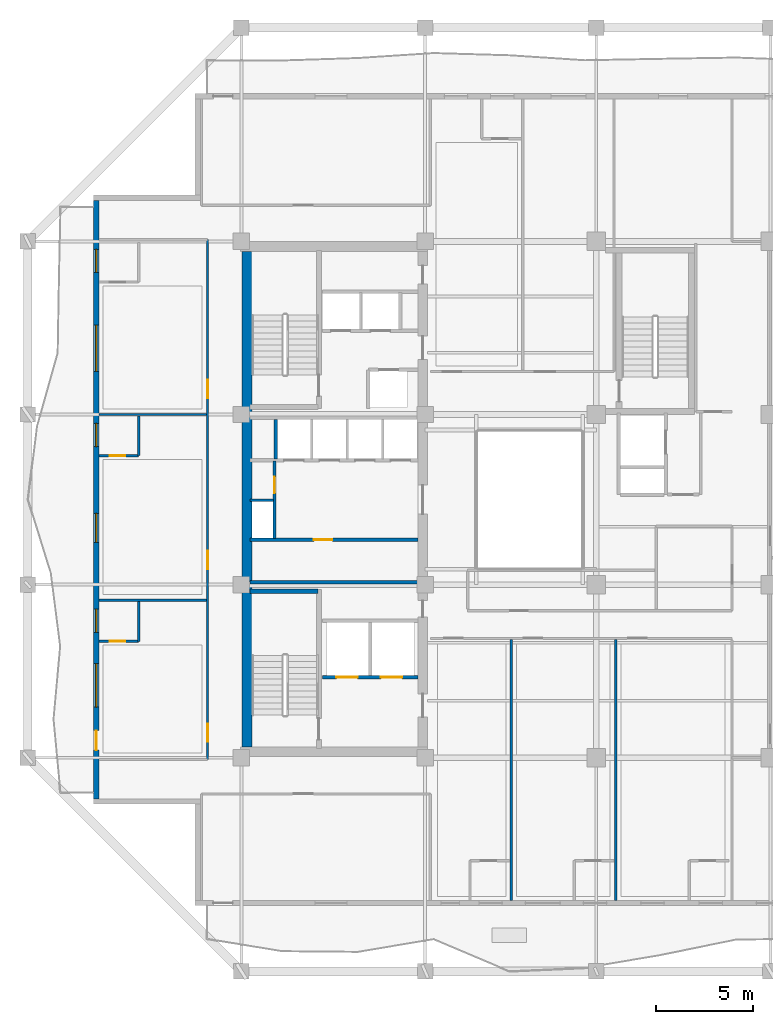
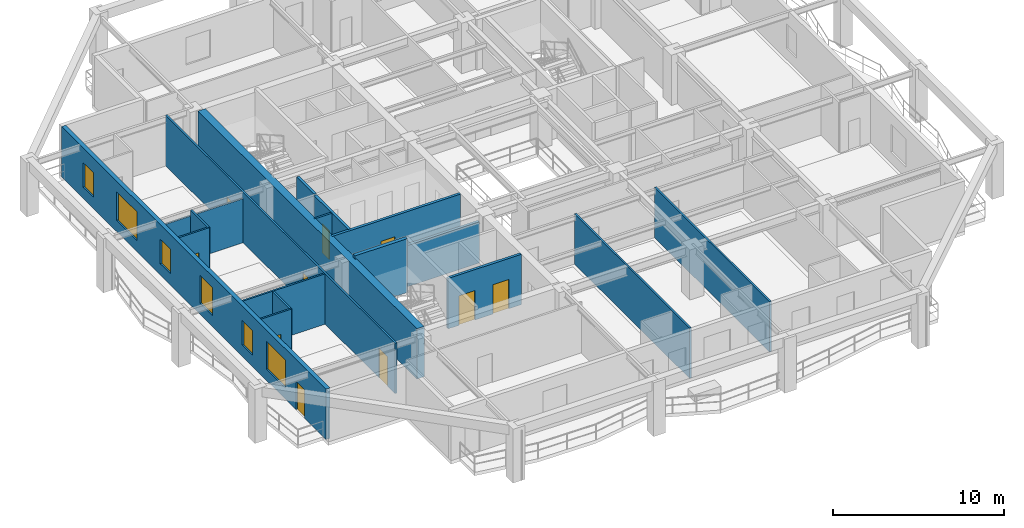
# One storey, part 3 of 12: 18 walls, 10 doors, 6 windows, 16 openings.
"""IFC4 building model written with IfcOpenShell, lengths in metres."""

from ifc_helpers import new_model, si_unit, direction, frame, frame_2d, origin, place, context, subcontext, project, spatial, rectangle, extrude, material, layer, layer_set, type_object, element, fill, save


model = new_model("IFC4")

# Units and contexts
model_context = context("Model", 3, precision=1e-05, world=origin(), true_north=direction((0.0, 1.0)))
body_context = subcontext(model_context, "Body", "Model", "MODEL_VIEW")
ifc_project = project(units=[si_unit("LENGTHUNIT", "METRE"), si_unit("AREAUNIT", "SQUARE_METRE"), si_unit("VOLUMEUNIT", "CUBIC_METRE"), si_unit("PLANEANGLEUNIT", "RADIAN"), si_unit("MASSUNIT", "GRAM", prefix="KILO")], contexts=[model_context])

# Site, building, storey
site_placement = place(None, origin())
site = spatial("IfcSite", under=ifc_project, at=site_placement, CompositionType="ELEMENT")
building_placement = place(site_placement, origin())
building = spatial("IfcBuilding", under=site, at=building_placement, Name="Kundavana Baori Tower", CompositionType="ELEMENT")
storey_placement = place(building_placement, frame((0.0, 0.0, 173.300048828125)))
storey = spatial("IfcBuildingStorey", under=building, at=storey_placement, Name="L42", CompositionType="ELEMENT", Elevation=173.300048828125)

# Walls
ifc_material_1 = material(Name="Concrete C50/60", Category="concrete")
ifc_layer_1 = layer(ifc_material_1, 0.39990234375, Name="WL-CORE-400")
ifc_layer_set_1 = layer_set([ifc_layer_1], Name="Concrete C50/60")
wall_type_1 = type_object("IfcWallType", Name="WL-CORE-400", PredefinedType="SHEAR", material=ifc_layer_set_1)
wall_1_placement = place(storey_placement, frame((15.89990234375, 23.860107421875, 0.0), z_axis=(0.0, 0.0, 1.0), x_axis=(1.0, 0.0, 0.0)))
element("IfcWall", 1, at=wall_1_placement, inside=storey, type_object=wall_type_1, Name="WL-L42-ST1-N", PredefinedType="SHEAR", context=body_context, shape_type="SweptSolid", body=[
    extrude(rectangle(XDim=3.52001953125, YDim=0.239990234375, at=frame_2d((1.760009765625, 0.0))), origin(), (0.0, 0.0, 1.0), 3.849853515625),
])
ifc_material_2 = material(Name="Concrete C50/60", Category="concrete")
ifc_layer_2 = layer(ifc_material_2, 0.5, Name="WL-CORE-500")
ifc_layer_set_2 = layer_set([ifc_layer_2], Name="Concrete C50/60")
wall_type_2 = type_object("IfcWallType", Name="WL-CORE-500", PredefinedType="SHEAR", material=ifc_layer_set_2)
wall_2_placement = place(storey_placement, frame((15.739990234375, 15.81005859375, 0.0), z_axis=(0.0, 0.0, 1.0), x_axis=(0.0, 1.0, 0.0)))
element("IfcWall", 2, at=wall_2_placement, inside=storey, type_object=wall_type_2, Name="L42 Offset Core West Shear Wall", PredefinedType="SHEAR", context=body_context, shape_type="SweptSolid", body=[
    extrude(rectangle(XDim=25.6298828125, YDim=0.5, at=frame_2d((12.81494140625, 0.0))), origin(), (0.0, 0.0, 1.0), 3.599853515625),
])

# Wall, openings, door, windows
ifc_material_3 = material(Name="Red-Buff Dholpur Sandstone Cladding on Concrete C40/50", Category="masonry")
ifc_layer_3 = layer(ifc_material_3, 0.280029296875, Name="WL-EXT-SAND-280")
ifc_layer_set_3 = layer_set([ifc_layer_3], Name="Red-Buff Dholpur Sandstone Cladding on Concrete C40/50")
wall_type_3 = type_object("IfcWallType", Name="WL-EXT-SAND-280", PredefinedType="STANDARD", material=ifc_layer_set_3)
wall_3_placement = place(storey_placement, frame((7.93994140625, 44.070068359375, 0.0), z_axis=(0.0, 0.0, 1.0), x_axis=(0.0, -1.0, 0.0)))
wall_3 = element("IfcWall", 3, at=wall_3_placement, inside=storey, type_object=wall_type_3, Name="L42 Exterior Insulated Facade Wall 10", PredefinedType="STANDARD", context=body_context, shape_type="SweptSolid", body=[
    extrude(rectangle(XDim=30.940185546875, YDim=0.280029296875, at=frame_2d((15.47021484375, 0.0))), origin(), (0.0, 0.0, 1.0), 3.599853515625),
])
opening_1_placement = place(wall_3_placement, frame((27.419921875, 0.0, 0.0)))
opening_1 = element("IfcOpeningElement", 4, at=opening_1_placement, cuts=wall_3, Name="Opening BD-1", PredefinedType="OPENING", context=body_context, shape_type="SweptSolid", body=[
    extrude(rectangle(XDim=1.0, YDim=2.050048828125, at=frame_2d((0.5, 1.02490234375))), frame((0.0, 0.14990234375, 0.0), z_axis=(0.0, -1.0, 0.0), x_axis=(1.0, 0.0, 0.0)), (0.0, 0.0, 1.0), 0.300048828125),
])
opening_2_placement = place(wall_3_placement, frame((23.955078125, 0.0, 0.800048828125)))
opening_2 = element("IfcOpeningElement", 5, at=opening_2_placement, cuts=wall_3, Name="Opening W-10", PredefinedType="OPENING", context=body_context, shape_type="SweptSolid", body=[
    extrude(rectangle(XDim=2.25, YDim=2.0, at=frame_2d((1.125, 1.0))), frame((0.0, 0.14990234375, 0.0), z_axis=(0.0, -1.0, 0.0), x_axis=(1.0, 0.0, 0.0)), (0.0, 0.0, 1.0), 0.300048828125),
])
opening_3_placement = place(wall_3_placement, frame((21.135009765625, 0.0, 0.800048828125)))
opening_3 = element("IfcOpeningElement", 6, at=opening_3_placement, cuts=wall_3, Name="Opening W-03", PredefinedType="OPENING", context=body_context, shape_type="SweptSolid", body=[
    extrude(rectangle(XDim=1.199951171875, YDim=1.75, at=frame_2d((0.60009765625, 0.875))), frame((0.0, 0.14990234375, 0.0), z_axis=(0.0, -1.0, 0.0), x_axis=(1.0, 0.0, 0.0)), (0.0, 0.0, 1.0), 0.300048828125),
])
opening_4_placement = place(wall_3_placement, frame((16.18505859375, 0.0, 0.800048828125)))
opening_4 = element("IfcOpeningElement", 7, at=opening_4_placement, cuts=wall_3, Name="Opening W-02", PredefinedType="OPENING", context=body_context, shape_type="SweptSolid", body=[
    extrude(rectangle(XDim=1.5, YDim=2.0, at=frame_2d((0.75, 1.0))), frame((0.0, 0.14990234375, 0.0), z_axis=(0.0, -1.0, 0.0), x_axis=(1.0, 0.0, 0.0)), (0.0, 0.0, 1.0), 0.300048828125),
])
opening_5_placement = place(wall_3_placement, frame((11.534912109375, 0.0, 0.800048828125)))
opening_5 = element("IfcOpeningElement", 8, at=opening_5_placement, cuts=wall_3, Name="Opening W-03", PredefinedType="OPENING", context=body_context, shape_type="SweptSolid", body=[
    extrude(rectangle(XDim=1.199951171875, YDim=1.75, at=frame_2d((0.60009765625, 0.875))), frame((0.0, 0.14990234375, 0.0), z_axis=(0.0, -1.0, 0.0), x_axis=(1.0, 0.0, 0.0)), (0.0, 0.0, 1.0), 0.300048828125),
])
opening_6_placement = place(wall_3_placement, frame((6.445068359375, 0.0, 0.800048828125)))
opening_6 = element("IfcOpeningElement", 9, at=opening_6_placement, cuts=wall_3, Name="Opening W-04", PredefinedType="OPENING", context=body_context, shape_type="SweptSolid", body=[
    extrude(rectangle(XDim=2.39990234375, YDim=2.050048828125, at=frame_2d((1.199951171875, 1.02490234375))), frame((0.0, 0.14990234375, 0.0), z_axis=(0.0, -1.0, 0.0), x_axis=(1.0, 0.0, 0.0)), (0.0, 0.0, 1.0), 0.300048828125),
])
opening_7_placement = place(wall_3_placement, frame((2.52490234375, 0.0, 0.800048828125)))
opening_7 = element("IfcOpeningElement", 10, at=opening_7_placement, cuts=wall_3, Name="Opening W-03", PredefinedType="OPENING", context=body_context, shape_type="SweptSolid", body=[
    extrude(rectangle(XDim=1.199951171875, YDim=1.75, at=frame_2d((0.60009765625, 0.875))), frame((0.0, 0.14990234375, 0.0), z_axis=(0.0, -1.0, 0.0), x_axis=(1.0, 0.0, 0.0)), (0.0, 0.0, 1.0), 0.300048828125),
])
ifc_material_4 = material(Name="Architectural Patinated Bronze Metalwork")
door_type_1 = type_object("IfcDoorType", Name="DR-EXT-LOG-1000", OperationType="NOTDEFINED", PredefinedType="DOOR", material=ifc_material_4)
door_1_placement = place(opening_1_placement, frame((1.0, 0.0, 0.0), z_axis=(0.0, 0.0, 1.0), x_axis=(-1.0, 0.0, 0.0)))
door_1 = element("IfcDoor", 11, at=door_1_placement, inside=storey, type_object=door_type_1, Name="L42 Loggia Balcony Access Door W", OperationType="SINGLE_SWING_RIGHT", OverallHeight=2.050048828125, OverallWidth=1.0, PredefinedType="DOOR", context=body_context, shape_type="SweptSolid", body=[
    extrude(rectangle(XDim=1.0, YDim=2.050048828125, at=frame_2d((0.5, 1.02490234375))), frame((0.0, 0.02490234375, 0.0), z_axis=(0.0, -1.0, 0.0), x_axis=(1.0, 0.0, 0.0)), (0.0, 0.0, 1.0), 0.050048828125),
])
fill(opening_1, door_1)
ifc_material_5 = material(Name="Double-Glazed Solar-Control Low-E Insulated Glass", Category="glass")
window_type_1 = type_object("IfcWindowType", Name="WIN-LOG-1200x1750", PartitioningType="SINGLE_PANEL", PredefinedType="WINDOW", material=ifc_material_5)
window_1_placement = place(opening_3_placement, origin())
window_1 = element("IfcWindow", 12, at=window_1_placement, inside=storey, type_object=window_type_1, Name="L42 Recessed Loggia Window W-2", OverallHeight=1.75, OverallWidth=1.199951171875, PartitioningType="SINGLE_PANEL", PredefinedType="WINDOW", context=body_context, shape_type="SweptSolid", body=[
    extrude(rectangle(XDim=1.199951171875, YDim=1.75, at=frame_2d((0.60009765625, 0.875))), frame((0.0, 0.030029296875, 0.0), z_axis=(0.0, -1.0, 0.0), x_axis=(1.0, 0.0, 0.0)), (0.0, 0.0, 1.0), 0.06005859375),
])
fill(opening_3, window_1)
window_2_placement = place(opening_5_placement, origin())
window_2 = element("IfcWindow", 13, at=window_2_placement, inside=storey, type_object=window_type_1, Name="L42 Recessed Loggia Window W-4", OverallHeight=1.75, OverallWidth=1.199951171875, PartitioningType="SINGLE_PANEL", PredefinedType="WINDOW", context=body_context, shape_type="SweptSolid", body=[
    extrude(rectangle(XDim=1.199951171875, YDim=1.75, at=frame_2d((0.60009765625, 0.875))), frame((0.0, 0.030029296875, 0.0), z_axis=(0.0, -1.0, 0.0), x_axis=(1.0, 0.0, 0.0)), (0.0, 0.0, 1.0), 0.06005859375),
])
fill(opening_5, window_2)
window_3_placement = place(opening_7_placement, origin())
window_3 = element("IfcWindow", 14, at=window_3_placement, inside=storey, type_object=window_type_1, Name="L42 Recessed Loggia Window W-6", OverallHeight=1.75, OverallWidth=1.199951171875, PartitioningType="SINGLE_PANEL", PredefinedType="WINDOW", context=body_context, shape_type="SweptSolid", body=[
    extrude(rectangle(XDim=1.199951171875, YDim=1.75, at=frame_2d((0.60009765625, 0.875))), frame((0.0, 0.030029296875, 0.0), z_axis=(0.0, -1.0, 0.0), x_axis=(1.0, 0.0, 0.0)), (0.0, 0.0, 1.0), 0.06005859375),
])
fill(opening_7, window_3)
ifc_material_6 = material(Name="Double-Glazed Solar-Control Low-E Insulated Glass", Category="glass")
window_type_2 = type_object("IfcWindowType", Name="WIN-LOG-1500x2000", PartitioningType="SINGLE_PANEL", PredefinedType="WINDOW", material=ifc_material_6)
window_4_placement = place(opening_4_placement, origin())
window_4 = element("IfcWindow", 15, at=window_4_placement, inside=storey, type_object=window_type_2, Name="L42 Recessed Loggia Window W-3", OverallHeight=2.0, OverallWidth=1.5, PartitioningType="SINGLE_PANEL", PredefinedType="WINDOW", context=body_context, shape_type="SweptSolid", body=[
    extrude(rectangle(XDim=1.5, YDim=2.0, at=frame_2d((0.75, 1.0))), frame((0.0, 0.030029296875, 0.0), z_axis=(0.0, -1.0, 0.0), x_axis=(1.0, 0.0, 0.0)), (0.0, 0.0, 1.0), 0.06005859375),
])
fill(opening_4, window_4)
ifc_material_7 = material(Name="Double-Glazed Solar-Control Low-E Insulated Glass", Category="glass")
window_type_3 = type_object("IfcWindowType", Name="WIN-LOG-2250x2000", PartitioningType="SINGLE_PANEL", PredefinedType="WINDOW", material=ifc_material_7)
window_5_placement = place(opening_2_placement, origin())
window_5 = element("IfcWindow", 16, at=window_5_placement, inside=storey, type_object=window_type_3, Name="L42 Recessed Loggia Window W-1", OverallHeight=2.0, OverallWidth=2.25, PartitioningType="SINGLE_PANEL", PredefinedType="WINDOW", context=body_context, shape_type="SweptSolid", body=[
    extrude(rectangle(XDim=2.25, YDim=2.0, at=frame_2d((1.125, 1.0))), frame((0.0, 0.030029296875, 0.0), z_axis=(0.0, -1.0, 0.0), x_axis=(1.0, 0.0, 0.0)), (0.0, 0.0, 1.0), 0.06005859375),
])
fill(opening_2, window_5)
ifc_material_8 = material(Name="Double-Glazed Solar-Control Low-E Insulated Glass", Category="glass")
window_type_4 = type_object("IfcWindowType", Name="WIN-LOG-2400x2050", PartitioningType="SINGLE_PANEL", PredefinedType="WINDOW", material=ifc_material_8)
window_6_placement = place(opening_6_placement, origin())
window_6 = element("IfcWindow", 17, at=window_6_placement, inside=storey, type_object=window_type_4, Name="L42 Recessed Loggia Window W-5", OverallHeight=2.050048828125, OverallWidth=2.39990234375, PartitioningType="SINGLE_PANEL", PredefinedType="WINDOW", context=body_context, shape_type="SweptSolid", body=[
    extrude(rectangle(XDim=2.39990234375, YDim=2.050048828125, at=frame_2d((1.199951171875, 1.02490234375))), frame((0.0, 0.030029296875, 0.0), z_axis=(0.0, -1.0, 0.0), x_axis=(1.0, 0.0, 0.0)), (0.0, 0.0, 1.0), 0.06005859375),
])
fill(opening_6, window_6)

# Wall
ifc_material_9 = material(Name="Acoustic Gypsum Plasterboard on Galvanised Steel Studs", Category="steel")
ifc_layer_4 = layer(ifc_material_9, 0.1201171875, Name="WL-PART-120")
ifc_layer_set_4 = layer_set([ifc_layer_4], Name="Acoustic Gypsum Plasterboard on Galvanised Steel Studs")
wall_type_4 = type_object("IfcWallType", Name="WL-PART-120", PredefinedType="PARTITIONING", material=ifc_layer_set_4)
wall_4_placement = place(storey_placement, frame((15.89990234375, 28.56005859375, 0.0), z_axis=(0.0, 0.0, 1.0), x_axis=(1.0, 0.0, 0.0)))
element("IfcWall", 18, at=wall_4_placement, inside=storey, type_object=wall_type_4, Name="WL-L42-RSRW-N", PredefinedType="PARTITIONING", context=body_context, shape_type="SweptSolid", body=[
    extrude(rectangle(XDim=1.2001953125, YDim=0.1201171875, at=frame_2d((0.60009765625, 0.0))), origin(), (0.0, 0.0, 1.0), 3.599853515625),
])

# Wall, openings, doors
wall_5_placement = place(storey_placement, frame((13.699951171875, 15.159912109375, 0.0), z_axis=(0.0, 0.0, 1.0), x_axis=(0.0, 1.0, 0.0)))
wall_5 = element("IfcWall", 19, at=wall_5_placement, inside=storey, type_object=wall_type_4, Name="WL-L42-HW", PredefinedType="PARTITIONING", context=body_context, shape_type="SweptSolid", body=[
    extrude(rectangle(XDim=26.880126953125, YDim=0.1201171875, at=frame_2d((13.43994140625, 0.0))), origin(), (0.0, 0.0, 1.0), 3.599853515625),
])
opening_8_placement = place(wall_5_placement, frame((0.909912109375, 0.0, 0.0)))
opening_8 = element("IfcOpeningElement", 20, at=opening_8_placement, cuts=wall_5, Name="Opening FD-095", PredefinedType="OPENING", context=body_context, shape_type="SweptSolid", body=[
    extrude(rectangle(XDim=0.949951171875, YDim=2.10009765625, at=frame_2d((0.47509765625, 1.050048828125))), frame((0.0, 0.070068359375, 0.0), z_axis=(0.0, -1.0, 0.0), x_axis=(1.0, 0.0, 0.0)), (0.0, 0.0, 1.0), 0.14013671875),
])
opening_9_placement = place(wall_5_placement, frame((9.840087890625, 0.0, 0.0)))
opening_9 = element("IfcOpeningElement", 21, at=opening_9_placement, cuts=wall_5, Name="Opening FD-095", PredefinedType="OPENING", context=body_context, shape_type="SweptSolid", body=[
    extrude(rectangle(XDim=0.949951171875, YDim=2.10009765625, at=frame_2d((0.47509765625, 1.050048828125))), frame((0.0, 0.070068359375, 0.0), z_axis=(0.0, -1.0, 0.0), x_axis=(1.0, 0.0, 0.0)), (0.0, 0.0, 1.0), 0.14013671875),
])
opening_10_placement = place(wall_5_placement, frame((18.68994140625, 0.0, 0.0)))
opening_10 = element("IfcOpeningElement", 22, at=opening_10_placement, cuts=wall_5, Name="Opening FD-095", PredefinedType="OPENING", context=body_context, shape_type="SweptSolid", body=[
    extrude(rectangle(XDim=0.949951171875, YDim=2.10009765625, at=frame_2d((0.47509765625, 1.050048828125))), frame((0.0, 0.070068359375, 0.0), z_axis=(0.0, -1.0, 0.0), x_axis=(1.0, 0.0, 0.0)), (0.0, 0.0, 1.0), 0.14013671875),
])
ifc_material_10 = material(Name="Engineered Teak Fire-Rated Timber Door Leaf", Category="wood")
door_type_2 = type_object("IfcDoorType", Name="DR-FD60-950", OperationType="NOTDEFINED", PredefinedType="DOOR", material=ifc_material_10)
door_2_placement = place(opening_8_placement, origin())
door_2 = element("IfcDoor", 23, at=door_2_placement, inside=storey, type_object=door_type_2, Name="DR-L42-HK-W1-ENT", OperationType="SINGLE_SWING_LEFT", OverallHeight=2.10009765625, OverallWidth=0.949951171875, PredefinedType="DOOR", context=body_context, shape_type="SweptSolid", body=[
    extrude(rectangle(XDim=0.949951171875, YDim=2.10009765625, at=frame_2d((0.47509765625, 1.050048828125))), frame((0.0, 0.02490234375, 0.0), z_axis=(0.0, -1.0, 0.0), x_axis=(1.0, 0.0, 0.0)), (0.0, 0.0, 1.0), 0.050048828125),
])
fill(opening_8, door_2)
door_3_placement = place(opening_9_placement, origin())
door_3 = element("IfcDoor", 24, at=door_3_placement, inside=storey, type_object=door_type_2, Name="DR-L42-HK-W2-ENT", OperationType="SINGLE_SWING_LEFT", OverallHeight=2.10009765625, OverallWidth=0.949951171875, PredefinedType="DOOR", context=body_context, shape_type="SweptSolid", body=[
    extrude(rectangle(XDim=0.949951171875, YDim=2.10009765625, at=frame_2d((0.47509765625, 1.050048828125))), frame((0.0, 0.02490234375, 0.0), z_axis=(0.0, -1.0, 0.0), x_axis=(1.0, 0.0, 0.0)), (0.0, 0.0, 1.0), 0.050048828125),
])
fill(opening_9, door_3)
door_4_placement = place(opening_10_placement, origin())
door_4 = element("IfcDoor", 25, at=door_4_placement, inside=storey, type_object=door_type_2, Name="DR-L42-HK-W3-ENT", OperationType="SINGLE_SWING_LEFT", OverallHeight=2.10009765625, OverallWidth=0.949951171875, PredefinedType="DOOR", context=body_context, shape_type="SweptSolid", body=[
    extrude(rectangle(XDim=0.949951171875, YDim=2.10009765625, at=frame_2d((0.47509765625, 1.050048828125))), frame((0.0, 0.02490234375, 0.0), z_axis=(0.0, -1.0, 0.0), x_axis=(1.0, 0.0, 0.0)), (0.0, 0.0, 1.0), 0.050048828125),
])
fill(opening_10, door_4)

# Walls
wall_6_placement = place(storey_placement, frame((8.080078125, 23.39990234375, 0.0), z_axis=(0.0, 0.0, 1.0), x_axis=(1.0, 0.0, 0.0)))
element("IfcWall", 26, at=wall_6_placement, inside=storey, type_object=wall_type_4, Name="WL-L42-HWD1", PredefinedType="PARTITIONING", context=body_context, shape_type="SweptSolid", body=[
    extrude(rectangle(XDim=5.559814453125, YDim=0.1201171875, at=frame_2d((2.77978515625, 0.0))), origin(), (0.0, 0.0, 1.0), 3.599853515625),
])
wall_7_placement = place(storey_placement, frame((8.080078125, 33.0, 0.0), z_axis=(0.0, 0.0, 1.0), x_axis=(1.0, 0.0, 0.0)))
element("IfcWall", 27, at=wall_7_placement, inside=storey, type_object=wall_type_4, Name="WL-L42-HWD2", PredefinedType="PARTITIONING", context=body_context, shape_type="SweptSolid", body=[
    extrude(rectangle(XDim=5.559814453125, YDim=0.1201171875, at=frame_2d((2.77978515625, 0.0))), origin(), (0.0, 0.0, 1.0), 3.14990234375),
])
for number, where, z_axis, x_axis, name in (
    (28, (29.39990234375, 7.8798828125, 0.0), (0.0, 0.0, 1.0), (0.0, 1.0, 0.0), "WL-L42-HSD1"),
    (29, (34.800048828125, 7.8798828125, 0.0), (0.0, 0.0, 1.0), (0.0, 1.0, 0.0), "WL-L42-HSD2"),
):
    element("IfcWall", number, at=place(storey_placement, frame(where, z_axis=z_axis, x_axis=x_axis)), inside=storey, type_object=wall_type_4, Name=name, PredefinedType="PARTITIONING", context=body_context, shape_type="SweptSolid", body=[
        extrude(rectangle(XDim=13.480224609375, YDim=0.1201171875, at=frame_2d((6.740234375, 0.0))), origin(), (0.0, 0.0, 1.0), 3.599853515625),
    ])

# Wall, openings, doors
ifc_material_11 = material(Name="Autoclaved Aerated Concrete Blockwork Masonry", Category="masonry")
ifc_layer_5 = layer(ifc_material_11, 0.179931640625, Name="WL-SHAFT-180")
ifc_layer_set_5 = layer_set([ifc_layer_5], Name="Autoclaved Aerated Concrete Blockwork Masonry")
wall_type_5 = type_object("IfcWallType", Name="WL-SHAFT-180", PredefinedType="SOLIDWALL", material=ifc_layer_set_5)
wall_8_placement = place(storey_placement, frame((19.639892578125, 19.419921875, 0.0), z_axis=(0.0, 0.0, 1.0), x_axis=(1.0, 0.0, 0.0)))
wall_8 = element("IfcWall", 30, at=wall_8_placement, inside=storey, type_object=wall_type_5, Name="WL-L42-FFL-S", PredefinedType="SOLIDWALL", context=body_context, shape_type="SweptSolid", body=[
    extrude(rectangle(XDim=4.940185546875, YDim=0.179931640625, at=frame_2d((2.47021484375, 0.0))), origin(), (0.0, 0.0, 1.0), 3.599853515625),
])
opening_11_placement = place(wall_8_placement, frame((0.719970703125, 0.0, 0.0)))
opening_11 = element("IfcOpeningElement", 31, at=opening_11_placement, cuts=wall_8, Name="Opening LD-110", PredefinedType="OPENING", context=body_context, shape_type="SweptSolid", body=[
    extrude(rectangle(XDim=1.10009765625, YDim=2.10009765625, at=frame_2d((0.550048828125, 1.050048828125))), frame((0.0, 0.10009765625, 0.0), z_axis=(0.0, -1.0, 0.0), x_axis=(1.0, 0.0, 0.0)), (0.0, 0.0, 1.0), 0.199951171875),
])
opening_12_placement = place(wall_8_placement, frame((3.02001953125, 0.0, 0.0)))
opening_12 = element("IfcOpeningElement", 32, at=opening_12_placement, cuts=wall_8, Name="Opening LD-110", PredefinedType="OPENING", context=body_context, shape_type="SweptSolid", body=[
    extrude(rectangle(XDim=1.10009765625, YDim=2.10009765625, at=frame_2d((0.550048828125, 1.050048828125))), frame((0.0, 0.10009765625, 0.0), z_axis=(0.0, -1.0, 0.0), x_axis=(1.0, 0.0, 0.0)), (0.0, 0.0, 1.0), 0.199951171875),
])
ifc_material_12 = material(Name="Galvanised Steel Fire-Rated Door Leaf", Category="steel")
door_type_3 = type_object("IfcDoorType", Name="DR-SLIDE-LD1100", OperationType="NOTDEFINED", PredefinedType="DOOR", material=ifc_material_12)
door_5_placement = place(opening_11_placement, origin())
door_5 = element("IfcDoor", 33, at=door_5_placement, inside=storey, type_object=door_type_3, Name="DR-L42-LD-FFL-1", OperationType="DOUBLE_DOOR_SLIDING", OverallHeight=2.10009765625, OverallWidth=1.10009765625, PredefinedType="DOOR", context=body_context, shape_type="SweptSolid", body=[
    extrude(rectangle(XDim=1.10009765625, YDim=2.10009765625, at=frame_2d((0.550048828125, 1.050048828125))), frame((0.0, 0.02490234375, 0.0), z_axis=(0.0, -1.0, 0.0), x_axis=(1.0, 0.0, 0.0)), (0.0, 0.0, 1.0), 0.050048828125),
])
fill(opening_11, door_5)
door_6_placement = place(opening_12_placement, origin())
door_6 = element("IfcDoor", 34, at=door_6_placement, inside=storey, type_object=door_type_3, Name="DR-L42-LD-FFL-2", OperationType="DOUBLE_DOOR_SLIDING", OverallHeight=2.10009765625, OverallWidth=1.10009765625, PredefinedType="DOOR", context=body_context, shape_type="SweptSolid", body=[
    extrude(rectangle(XDim=1.10009765625, YDim=2.10009765625, at=frame_2d((0.550048828125, 1.050048828125))), frame((0.0, 0.02490234375, 0.0), z_axis=(0.0, -1.0, 0.0), x_axis=(1.0, 0.0, 0.0)), (0.0, 0.0, 1.0), 0.050048828125),
])
fill(opening_12, door_6)

# Wall, opening, door
wall_9_placement = place(storey_placement, frame((15.89990234375, 26.52001953125, 0.0), z_axis=(0.0, 0.0, 1.0), x_axis=(1.0, 0.0, 0.0)))
wall_9 = element("IfcWall", 35, at=wall_9_placement, inside=storey, type_object=wall_type_5, Name="WL-L42-LPLOW-N", PredefinedType="SOLIDWALL", context=body_context, shape_type="SweptSolid", body=[
    extrude(rectangle(XDim=8.68017578125, YDim=0.179931640625, at=frame_2d((4.340087890625, 0.0))), origin(), (0.0, 0.0, 1.0), 3.599853515625),
])
opening_13_placement = place(wall_9_placement, frame((3.300048828125, 0.0, 0.0)))
opening_13 = element("IfcOpeningElement", 36, at=opening_13_placement, cuts=wall_9, Name="Opening FD-095", PredefinedType="OPENING", context=body_context, shape_type="SweptSolid", body=[
    extrude(rectangle(XDim=0.949951171875, YDim=2.10009765625, at=frame_2d((0.47509765625, 1.050048828125))), frame((0.0, 0.10009765625, 0.0), z_axis=(0.0, -1.0, 0.0), x_axis=(1.0, 0.0, 0.0)), (0.0, 0.0, 1.0), 0.199951171875),
])
door_7_placement = place(opening_13_placement, origin())
door_7 = element("IfcDoor", 37, at=door_7_placement, inside=storey, type_object=door_type_2, Name="DR-L42-FRLOW1", OperationType="SINGLE_SWING_LEFT", OverallHeight=2.10009765625, OverallWidth=0.949951171875, PredefinedType="DOOR", context=body_context, shape_type="SweptSolid", body=[
    extrude(rectangle(XDim=0.949951171875, YDim=2.10009765625, at=frame_2d((0.47509765625, 1.050048828125))), frame((0.0, 0.02490234375, 0.0), z_axis=(0.0, -1.0, 0.0), x_axis=(1.0, 0.0, 0.0)), (0.0, 0.0, 1.0), 0.050048828125),
])
fill(opening_13, door_7)

# Wall
wall_10_placement = place(storey_placement, frame((15.89990234375, 24.330078125, 0.0), z_axis=(0.0, 0.0, 1.0), x_axis=(1.0, 0.0, 0.0)))
element("IfcWall", 38, at=wall_10_placement, inside=storey, type_object=wall_type_5, Name="WL-L42-LPLOW-S", PredefinedType="SOLIDWALL", context=body_context, shape_type="SweptSolid", body=[
    extrude(rectangle(XDim=8.68017578125, YDim=0.179931640625, at=frame_2d((4.340087890625, 0.0))), origin(), (0.0, 0.0, 1.0), 2.949951171875),
])

# Wall, opening, door
wall_11_placement = place(storey_placement, frame((17.159912109375, 26.580078125, 0.0), z_axis=(0.0, 0.0, 1.0), x_axis=(0.0, 1.0, 0.0)))
wall_11 = element("IfcWall", 39, at=wall_11_placement, inside=storey, type_object=wall_type_5, Name="WL-L42-RSRW-E", PredefinedType="SOLIDWALL", context=body_context, shape_type="SweptSolid", body=[
    extrude(rectangle(XDim=4.02001953125, YDim=0.179931640625, at=frame_2d((2.010009765625, 0.0))), origin(), (0.0, 0.0, 1.0), 3.599853515625),
])
opening_14_placement = place(wall_11_placement, frame((2.35009765625, 0.0, 0.0)))
opening_14 = element("IfcOpeningElement", 40, at=opening_14_placement, cuts=wall_11, Name="Opening FD-085", PredefinedType="OPENING", context=body_context, shape_type="SweptSolid", body=[
    extrude(rectangle(XDim=0.85009765625, YDim=2.06005859375, at=frame_2d((0.425048828125, 1.030029296875))), frame((0.0, 0.10009765625, 0.0), z_axis=(0.0, -1.0, 0.0), x_axis=(1.0, 0.0, 0.0)), (0.0, 0.0, 1.0), 0.199951171875),
])
ifc_material_13 = material(Name="Galvanised Steel Fire-Rated Door Leaf", Category="steel")
door_type_4 = type_object("IfcDoorType", Name="DR-FD60-850", OperationType="NOTDEFINED", PredefinedType="DOOR", material=ifc_material_13)
door_8_placement = place(opening_14_placement, origin())
door_8 = element("IfcDoor", 41, at=door_8_placement, inside=storey, type_object=door_type_4, Name="DR-L42-CLN", OperationType="SINGLE_SWING_RIGHT", OverallHeight=2.06005859375, OverallWidth=0.85009765625, PredefinedType="DOOR", context=body_context, shape_type="SweptSolid", body=[
    extrude(rectangle(XDim=0.85009765625, YDim=2.06005859375, at=frame_2d((0.425048828125, 1.030029296875))), frame((0.0, 0.02490234375, 0.0), z_axis=(0.0, -1.0, 0.0), x_axis=(1.0, 0.0, 0.0)), (0.0, 0.0, 1.0), 0.050048828125),
])
fill(opening_14, door_8)

# Walls
wall_12_placement = place(storey_placement, frame((17.219970703125, 30.699951171875, 0.0), z_axis=(0.0, 0.0, 1.0), x_axis=(0.0, 1.0, 0.0)))
element("IfcWall", 42, at=wall_12_placement, inside=storey, type_object=wall_type_5, Name="WL-L42-LPMID-W", PredefinedType="SOLIDWALL", context=body_context, shape_type="SweptSolid", body=[
    extrude(rectangle(XDim=2.050048828125, YDim=0.179931640625, at=frame_2d((1.02490234375, 0.0))), origin(), (0.0, 0.0, 1.0), 3.599853515625),
])
ifc_material_14 = material(Name="Autoclaved Aerated Concrete Blockwork Masonry", Category="masonry")
ifc_layer_6 = layer(ifc_material_14, 0.125, Name="WL-WET-120")
ifc_layer_set_6 = layer_set([ifc_layer_6], Name="Autoclaved Aerated Concrete Blockwork Masonry")
wall_type_6 = type_object("IfcWallType", Name="WL-WET-120", PredefinedType="PLUMBINGWALL", material=ifc_layer_set_6)
wall_13_placement = place(storey_placement, frame((10.1298828125, 21.27001953125, 0.0), z_axis=(0.0, 0.0, 1.0), x_axis=(0.0, 1.0, 0.0)))
element("IfcWall", 43, at=wall_13_placement, inside=storey, type_object=wall_type_6, Name="WL-L42-HK-W1-BE", PredefinedType="PLUMBINGWALL", context=body_context, shape_type="SweptSolid", body=[
    extrude(rectangle(XDim=2.050048828125, YDim=0.125, at=frame_2d((1.02490234375, 0.0))), origin(), (0.0, 0.0, 1.0), 3.599853515625),
])

# Wall, opening, door
wall_14_placement = place(storey_placement, frame((8.080078125, 21.27001953125, 0.0), z_axis=(0.0, 0.0, 1.0), x_axis=(1.0, 0.0, 0.0)))
wall_14 = element("IfcWall", 44, at=wall_14_placement, inside=storey, type_object=wall_type_6, Name="WL-L42-HK-W1-BS", PredefinedType="PLUMBINGWALL", context=body_context, shape_type="SweptSolid", body=[
    extrude(rectangle(XDim=2.0498046875, YDim=0.125, at=frame_2d((1.02490234375, 0.0))), origin(), (0.0, 0.0, 1.0), 3.599853515625),
])
opening_15_placement = place(wall_14_placement, frame((0.550048828125, 0.0, 0.0)))
opening_15 = element("IfcOpeningElement", 45, at=opening_15_placement, cuts=wall_14, Name="Opening WD-080", PredefinedType="OPENING", context=body_context, shape_type="SweptSolid", body=[
    extrude(rectangle(XDim=0.800048828125, YDim=2.050048828125, at=frame_2d((0.39990234375, 1.02490234375))), frame((0.0, 0.072509765625, 0.0), z_axis=(0.0, -1.0, 0.0), x_axis=(1.0, 0.0, 0.0)), (0.0, 0.0, 1.0), 0.14501953125),
])
ifc_material_15 = material(Name="Engineered Teak Solid-Core Timber Veneer", Category="wood")
door_type_5 = type_object("IfcDoorType", Name="DR-WET-800", OperationType="NOTDEFINED", PredefinedType="DOOR", material=ifc_material_15)
door_9_placement = place(opening_15_placement, frame((0.800048828125, 0.0, 0.0), z_axis=(0.0, 0.0, 1.0), x_axis=(-1.0, 0.0, 0.0)))
door_9 = element("IfcDoor", 46, at=door_9_placement, inside=storey, type_object=door_type_5, Name="DR-L42-HK-W1-ENS", OperationType="SINGLE_SWING_LEFT", OverallHeight=2.050048828125, OverallWidth=0.800048828125, PredefinedType="DOOR", context=body_context, shape_type="SweptSolid", body=[
    extrude(rectangle(XDim=0.800048828125, YDim=2.050048828125, at=frame_2d((0.39990234375, 1.02490234375))), frame((0.0, 0.02490234375, 0.0), z_axis=(0.0, -1.0, 0.0), x_axis=(1.0, 0.0, 0.0)), (0.0, 0.0, 1.0), 0.050048828125),
])
fill(opening_15, door_9)

# Wall
wall_15_placement = place(storey_placement, frame((10.1298828125, 30.8701171875, 0.0), z_axis=(0.0, 0.0, 1.0), x_axis=(0.0, 1.0, 0.0)))
element("IfcWall", 47, at=wall_15_placement, inside=storey, type_object=wall_type_6, Name="WL-L42-HK-W2-BE", PredefinedType="PLUMBINGWALL", context=body_context, shape_type="SweptSolid", body=[
    extrude(rectangle(XDim=2.0498046875, YDim=0.125, at=frame_2d((1.02490234375, 0.0))), origin(), (0.0, 0.0, 1.0), 3.599853515625),
])

# Wall, opening, door
wall_16_placement = place(storey_placement, frame((8.080078125, 30.8701171875, 0.0), z_axis=(0.0, 0.0, 1.0), x_axis=(1.0, 0.0, 0.0)))
wall_16 = element("IfcWall", 48, at=wall_16_placement, inside=storey, type_object=wall_type_6, Name="WL-L42-HK-W2-BS", PredefinedType="PLUMBINGWALL", context=body_context, shape_type="SweptSolid", body=[
    extrude(rectangle(XDim=2.0498046875, YDim=0.125, at=frame_2d((1.02490234375, 0.0))), origin(), (0.0, 0.0, 1.0), 3.599853515625),
])
opening_16_placement = place(wall_16_placement, frame((0.550048828125, 0.0, 0.0)))
opening_16 = element("IfcOpeningElement", 49, at=opening_16_placement, cuts=wall_16, Name="Opening WD-080", PredefinedType="OPENING", context=body_context, shape_type="SweptSolid", body=[
    extrude(rectangle(XDim=0.800048828125, YDim=2.050048828125, at=frame_2d((0.39990234375, 1.02490234375))), frame((0.0, 0.072509765625, 0.0), z_axis=(0.0, -1.0, 0.0), x_axis=(1.0, 0.0, 0.0)), (0.0, 0.0, 1.0), 0.14501953125),
])
door_10_placement = place(opening_16_placement, frame((0.800048828125, 0.0, 0.0), z_axis=(0.0, 0.0, 1.0), x_axis=(-1.0, 0.0, 0.0)))
door_10 = element("IfcDoor", 50, at=door_10_placement, inside=storey, type_object=door_type_5, Name="DR-L42-HK-W2-ENS", OperationType="SINGLE_SWING_LEFT", OverallHeight=2.050048828125, OverallWidth=0.800048828125, PredefinedType="DOOR", context=body_context, shape_type="SweptSolid", body=[
    extrude(rectangle(XDim=0.800048828125, YDim=2.050048828125, at=frame_2d((0.39990234375, 1.02490234375))), frame((0.0, 0.02490234375, 0.0), z_axis=(0.0, -1.0, 0.0), x_axis=(1.0, 0.0, 0.0)), (0.0, 0.0, 1.0), 0.050048828125),
])
fill(opening_16, door_10)

save(model, "model.ifc")
